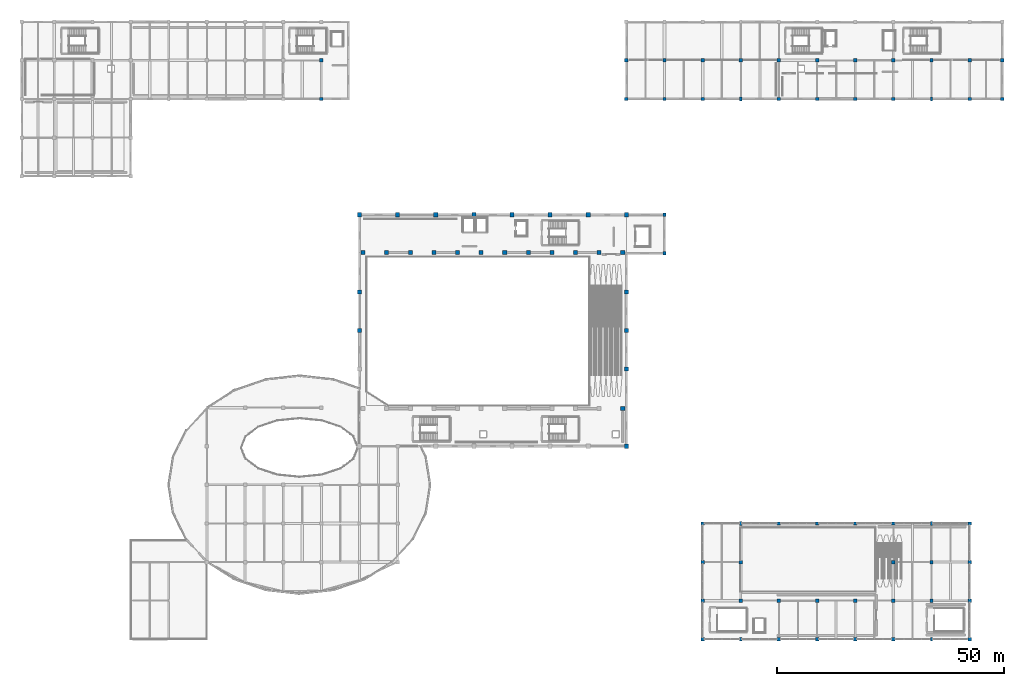
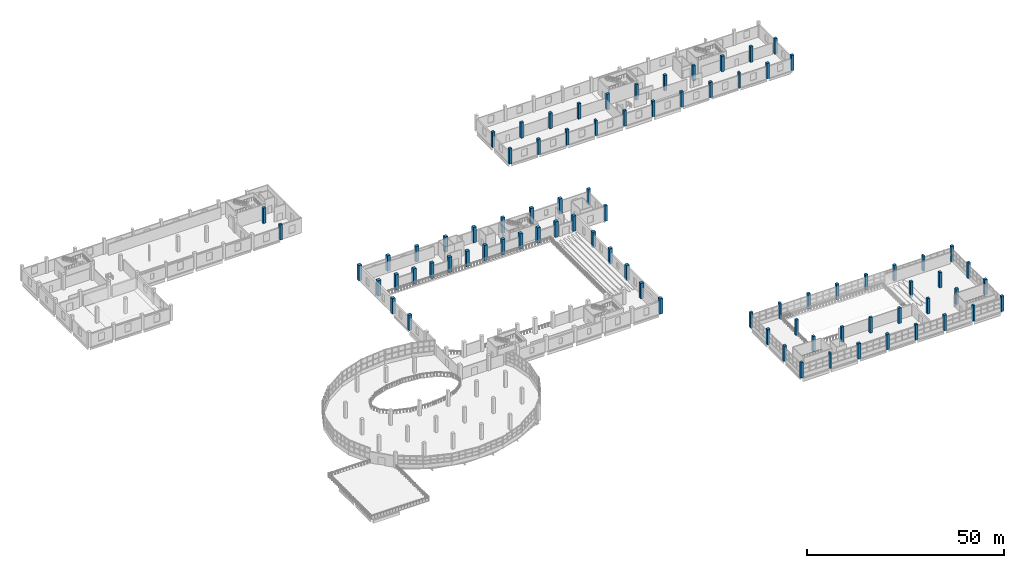
# One storey, part 3 of 77: 82 columns.
"""IFC4 building model written with IfcOpenShell, lengths in metres."""

from ifc_helpers import new_model, si_unit, direction, frame, origin, origin_2d, place, context, subcontext, project, spatial, rectangle, extrude, material, material_profile, profile_set, type_object, element, save


model = new_model("IFC4")

# Units and contexts
model_context = context("Model", 3, precision=1e-05, world=origin(), true_north=direction((0.0, 1.0)))
body_context = subcontext(model_context, "Body", "Model", "MODEL_VIEW")
ifc_project = project(units=[si_unit("LENGTHUNIT", "METRE"), si_unit("AREAUNIT", "SQUARE_METRE"), si_unit("VOLUMEUNIT", "CUBIC_METRE"), si_unit("PLANEANGLEUNIT", "RADIAN"), si_unit("MASSUNIT", "GRAM", prefix="KILO")], contexts=[model_context])

# Site, building, storey
site_placement = place(None, origin())
site = spatial("IfcSite", under=ifc_project, at=site_placement, CompositionType="ELEMENT")
building_placement = place(site_placement, origin())
building = spatial("IfcBuilding", under=site, at=building_placement, Name="Solvento Point Concert Hall", CompositionType="ELEMENT")
storey_placement = place(building_placement, frame((0.0, 0.0, 10.199951171875)))
storey = spatial("IfcBuildingStorey", under=building, at=storey_placement, Name="L02", CompositionType="ELEMENT", Elevation=10.199951171875)

# Columns
ifc_material_1 = material(Name="Concrete C40/50", Category="concrete")
ifc_material_profile_1 = material_profile(ifc_material_1, rectangle(XDim=0.75, YDim=0.75, at=origin_2d()), Name="RC-COL-750X750")
ifc_profile_set_1 = profile_set([ifc_material_profile_1], Name="Concrete C40/50")
column_type_1 = type_object("IfcColumnType", Name="Col_RC_750", PredefinedType="COLUMN", material=ifc_profile_set_1)
for number, where, z_axis, x_axis, name in (
    (1, (66.0, 119.0, 0.0), (0.0, 0.0, 1.0), (1.0, 0.0, 0.0), "Column C-29 09/Q L02"),
    (2, (66.0, 127.5, 0.0), (0.0, 0.0, 1.0), (1.0, 0.0, 0.0), "Column C-29 09/R L02"),
    (3, (133.199951171875, 119.0, 0.0), (0.0, 0.0, 1.0), (1.0, 0.0, 0.0), "Column C-29 17/Q L02"),
    (4, (133.199951171875, 127.5, 0.0), (0.0, 0.0, 1.0), (1.0, 0.0, 0.0), "Column C-29 17/R L02"),
    (5, (141.60009765625, 85.0, 0.0), (0.0, 0.0, 1.0), (1.0, 0.0, 0.0), "Column C-29 18/L L02"),
    (6, (141.60009765625, 93.5, 0.0), (0.0, 0.0, 1.0), (1.0, 0.0, 0.0), "Column C-29 18/M L02"),
    (7, (141.60009765625, 119.0, 0.0), (0.0, 0.0, 1.0), (1.0, 0.0, 0.0), "Column C-29 18/Q L02"),
    (8, (141.60009765625, 127.5, 0.0), (0.0, 0.0, 1.0), (1.0, 0.0, 0.0), "Column C-29 18/R L02"),
    (9, (150.0, 0.0, 0.0), (0.0, 0.0, 1.0), (1.0, 0.0, 0.0), "Column C-29 19/A L02"),
    (10, (150.0, 8.5, 0.0), (0.0, 0.0, 1.0), (1.0, 0.0, 0.0), "Column C-29 19/B L02"),
    (11, (150.0, 17.0, 0.0), (0.0, 0.0, 1.0), (1.0, 0.0, 0.0), "Column C-29 19/C L02"),
    (12, (150.0, 25.5, 0.0), (0.0, 0.0, 1.0), (1.0, 0.0, 0.0), "Column C-29 19/D L02"),
    (13, (150.0, 119.0, 0.0), (0.0, 0.0, 1.0), (1.0, 0.0, 0.0), "Column C-29 19/Q L02"),
    (14, (150.0, 127.5, 0.0), (0.0, 0.0, 1.0), (1.0, 0.0, 0.0), "Column C-29 19/R L02"),
    (15, (158.39990234375, 8.5, 0.0), (0.0, 0.0, 1.0), (1.0, 0.0, 0.0), "Column C-29 20/B L02"),
    (16, (158.39990234375, 17.0, 0.0), (0.0, 0.0, 1.0), (1.0, 0.0, 0.0), "Column C-29 20/C L02"),
    (17, (158.39990234375, 127.5, 0.0), (0.0, 0.0, 1.0), (1.0, 0.0, 0.0), "Column C-29 20/R L02"),
    (18, (166.800048828125, 0.0, 0.0), (0.0, 0.0, 1.0), (1.0, 0.0, 0.0), "Column C-29 21/A L02"),
    (19, (166.800048828125, 8.5, 0.0), (0.0, 0.0, 1.0), (1.0, 0.0, 0.0), "Column C-29 21/B L02"),
    (20, (166.800048828125, 25.5, 0.0), (0.0, 0.0, 1.0), (1.0, 0.0, 0.0), "Column C-29 21/D L02"),
    (21, (166.800048828125, 119.0, 0.0), (0.0, 0.0, 1.0), (1.0, 0.0, 0.0), "Column C-29 21/Q L02"),
    (22, (166.800048828125, 127.5, 0.0), (0.0, 0.0, 1.0), (1.0, 0.0, 0.0), "Column C-29 21/R L02"),
    (23, (175.199951171875, 0.0, 0.0), (0.0, 0.0, 1.0), (1.0, 0.0, 0.0), "Column C-29 22/A L02"),
    (24, (175.199951171875, 8.5, 0.0), (0.0, 0.0, 1.0), (1.0, 0.0, 0.0), "Column C-29 22/B L02"),
    (25, (175.199951171875, 25.5, 0.0), (0.0, 0.0, 1.0), (1.0, 0.0, 0.0), "Column C-29 22/D L02"),
    (26, (175.199951171875, 119.0, 0.0), (0.0, 0.0, 1.0), (1.0, 0.0, 0.0), "Column C-29 22/Q L02"),
    (27, (175.199951171875, 127.5, 0.0), (0.0, 0.0, 1.0), (1.0, 0.0, 0.0), "Column C-29 22/R L02"),
    (28, (183.60009765625, 0.0, 0.0), (0.0, 0.0, 1.0), (1.0, 0.0, 0.0), "Column C-29 23/A L02"),
    (29, (183.60009765625, 8.5, 0.0), (0.0, 0.0, 1.0), (1.0, 0.0, 0.0), "Column C-29 23/B L02"),
    (30, (183.60009765625, 25.5, 0.0), (0.0, 0.0, 1.0), (1.0, 0.0, 0.0), "Column C-29 23/D L02"),
    (31, (183.60009765625, 119.0, 0.0), (0.0, 0.0, 1.0), (1.0, 0.0, 0.0), "Column C-29 23/Q L02"),
    (32, (183.60009765625, 127.5, 0.0), (0.0, 0.0, 1.0), (1.0, 0.0, 0.0), "Column C-29 23/R L02"),
    (33, (192.0, 0.0, 0.0), (0.0, 0.0, 1.0), (1.0, 0.0, 0.0), "Column C-29 24/A L02"),
    (34, (192.0, 8.5, 0.0), (0.0, 0.0, 1.0), (1.0, 0.0, 0.0), "Column C-29 24/B L02"),
    (35, (192.0, 17.0, 0.0), (0.0, 0.0, 1.0), (1.0, 0.0, 0.0), "Column C-29 24/C L02"),
    (36, (192.0, 25.5, 0.0), (0.0, 0.0, 1.0), (1.0, 0.0, 0.0), "Column C-29 24/D L02"),
    (37, (192.0, 119.0, 0.0), (0.0, 0.0, 1.0), (1.0, 0.0, 0.0), "Column C-29 24/Q L02"),
    (38, (192.0, 127.5, 0.0), (0.0, 0.0, 1.0), (1.0, 0.0, 0.0), "Column C-29 24/R L02"),
    (39, (200.39990234375, 8.5, 0.0), (0.0, 0.0, 1.0), (1.0, 0.0, 0.0), "Column C-29 25/B L02"),
    (40, (200.39990234375, 17.0, 0.0), (0.0, 0.0, 1.0), (1.0, 0.0, 0.0), "Column C-29 25/C L02"),
    (41, (200.39990234375, 127.5, 0.0), (0.0, 0.0, 1.0), (1.0, 0.0, 0.0), "Column C-29 25/R L02"),
    (42, (208.800048828125, 0.0, 0.0), (0.0, 0.0, 1.0), (1.0, 0.0, 0.0), "Column C-29 26/A L02"),
    (43, (208.800048828125, 8.5, 0.0), (0.0, 0.0, 1.0), (1.0, 0.0, 0.0), "Column C-29 26/B L02"),
    (44, (208.800048828125, 17.0, 0.0), (0.0, 0.0, 1.0), (1.0, 0.0, 0.0), "Column C-29 26/C L02"),
    (45, (208.800048828125, 25.5, 0.0), (0.0, 0.0, 1.0), (1.0, 0.0, 0.0), "Column C-29 26/D L02"),
    (46, (208.800048828125, 119.0, 0.0), (0.0, 0.0, 1.0), (1.0, 0.0, 0.0), "Column C-29 26/Q L02"),
    (47, (208.800048828125, 127.5, 0.0), (0.0, 0.0, 1.0), (1.0, 0.0, 0.0), "Column C-29 26/R L02"),
    (48, (216.0, 119.0, 0.0), (0.0, 0.0, 1.0), (1.0, 0.0, 0.0), "Column C-29 27/Q L02"),
    (49, (216.0, 127.5, 0.0), (0.0, 0.0, 1.0), (1.0, 0.0, 0.0), "Column C-29 27/R L02"),
):
    element("IfcColumn", number, at=place(storey_placement, frame(where, z_axis=z_axis, x_axis=x_axis)), inside=storey, type_object=column_type_1, Name=name, PredefinedType="COLUMN", context=body_context, shape_type="SweptSolid", body=[
        extrude(rectangle(XDim=0.75, YDim=0.75, at=origin_2d()), origin(), (0.0, 0.0, 1.0), 4.800048828125),
    ])
ifc_material_2 = material(Name="Concrete C40/50", Category="concrete")
ifc_material_profile_2 = material_profile(ifc_material_2, rectangle(XDim=0.89990234375, YDim=0.89990234375, at=origin_2d()), Name="RC-COL-900X900")
ifc_profile_set_2 = profile_set([ifc_material_profile_2], Name="Concrete C40/50")
column_type_2 = type_object("IfcColumnType", Name="Col_RC_900", PredefinedType="COLUMN", material=ifc_profile_set_2)
for number, where, z_axis, x_axis, name in (
    (50, (74.39990234375, 68.0, 0.0), (0.0, 0.0, 1.0), (1.0, 0.0, 0.0), "Column C-14 10/J L02"),
    (51, (74.39990234375, 76.5, 0.0), (0.0, 0.0, 1.0), (1.0, 0.0, 0.0), "Column C-14 10/K L02"),
    (52, (74.39990234375, 93.5, 0.0), (0.0, 0.0, 1.0), (1.0, 0.0, 0.0), "Column C-14 10/M L02"),
    (53, (82.800048828125, 93.5, 0.0), (0.0, 0.0, 1.0), (1.0, 0.0, 0.0), "Column C-14 11/M L02"),
    (54, (91.199951171875, 93.5, 0.0), (0.0, 0.0, 1.0), (1.0, 0.0, 0.0), "Column C-14 12/M L02"),
    (55, (99.60009765625, 93.5, 0.0), (0.0, 0.0, 1.0), (1.0, 0.0, 0.0), "Column C-14 13/M L02"),
    (56, (108.0, 93.5, 0.0), (0.0, 0.0, 1.0), (1.0, 0.0, 0.0), "Column C-14 14/M L02"),
    (57, (116.39990234375, 93.5, 0.0), (0.0, 0.0, 1.0), (1.0, 0.0, 0.0), "Column C-14 15/M L02"),
    (58, (124.800048828125, 93.5, 0.0), (0.0, 0.0, 1.0), (1.0, 0.0, 0.0), "Column C-14 16/M L02"),
    (59, (133.199951171875, 42.5, 0.0), (0.0, 0.0, 1.0), (1.0, 0.0, 0.0), "Column C-14 17/F L02"),
    (60, (133.199951171875, 59.5, 0.0), (0.0, 0.0, 1.0), (1.0, 0.0, 0.0), "Column C-14 17/H L02"),
    (61, (133.199951171875, 68.0, 0.0), (0.0, 0.0, 1.0), (1.0, 0.0, 0.0), "Column C-14 17/J L02"),
    (62, (133.199951171875, 76.5, 0.0), (0.0, 0.0, 1.0), (1.0, 0.0, 0.0), "Column C-14 17/K L02"),
    (63, (133.199951171875, 93.5, 0.0), (0.0, 0.0, 1.0), (1.0, 0.0, 0.0), "Column C-14 17/M L02"),
    (64, (75.199951171875, 85.199951171875, 0.0), (0.0, 0.0, 1.0), (1.0, 0.0, 0.0), "Symphonic drum column C-14 DN01 L02"),
    (65, (80.39990234375, 85.199951171875, 0.0), (0.0, 0.0, 1.0), (1.0, 0.0, 0.0), "Symphonic drum column C-14 DN02 L02"),
    (66, (85.60009765625, 85.199951171875, 0.0), (0.0, 0.0, 1.0), (1.0, 0.0, 0.0), "Symphonic drum column C-14 DN03 L02"),
    (67, (90.800048828125, 85.199951171875, 0.0), (0.0, 0.0, 1.0), (1.0, 0.0, 0.0), "Symphonic drum column C-14 DN04 L02"),
    (68, (96.0, 85.199951171875, 0.0), (0.0, 0.0, 1.0), (1.0, 0.0, 0.0), "Symphonic drum column C-14 DN05 L02"),
    (69, (101.199951171875, 85.199951171875, 0.0), (0.0, 0.0, 1.0), (1.0, 0.0, 0.0), "Symphonic drum column C-14 DN06 L02"),
    (70, (106.39990234375, 85.199951171875, 0.0), (0.0, 0.0, 1.0), (1.0, 0.0, 0.0), "Symphonic drum column C-14 DN07 L02"),
    (71, (111.60009765625, 85.199951171875, 0.0), (0.0, 0.0, 1.0), (1.0, 0.0, 0.0), "Symphonic drum column C-14 DN08 L02"),
    (72, (116.800048828125, 85.199951171875, 0.0), (0.0, 0.0, 1.0), (1.0, 0.0, 0.0), "Symphonic drum column C-14 DN09 L02"),
    (73, (122.0, 85.199951171875, 0.0), (0.0, 0.0, 1.0), (1.0, 0.0, 0.0), "Symphonic drum column C-14 DN10 L02"),
    (74, (127.199951171875, 85.199951171875, 0.0), (0.0, 0.0, 1.0), (1.0, 0.0, 0.0), "Symphonic drum column C-14 DN11 L02"),
    (75, (132.39990234375, 50.800048828125, 0.0), (0.0, 0.0, 1.0), (1.0, 0.0, 0.0), "Symphonic drum column C-14 DS12 L02"),
    (76, (132.39990234375, 85.199951171875, 0.0), (0.0, 0.0, 1.0), (1.0, 0.0, 0.0), "Symphonic drum column C-14 DN12 L02"),
):
    element("IfcColumn", number, at=place(storey_placement, frame(where, z_axis=z_axis, x_axis=x_axis)), inside=storey, type_object=column_type_2, Name=name, PredefinedType="COLUMN", context=body_context, shape_type="SweptSolid", body=[
        extrude(rectangle(XDim=0.89990234375, YDim=0.89990234375, at=origin_2d()), origin(), (0.0, 0.0, 1.0), 4.800048828125),
    ])
ifc_material_3 = material(Name="Concrete C40/50", Category="concrete")
ifc_material_profile_3 = material_profile(ifc_material_3, rectangle(XDim=0.5, YDim=0.800048828125, at=origin_2d()), Name="RC-PIL-500X800")
ifc_profile_set_3 = profile_set([ifc_material_profile_3], Name="Concrete C40/50")
column_type_3 = type_object("IfcColumnType", Name="Pilaster_500x800", PredefinedType="PILASTER", material=ifc_profile_set_3)
for number, where, z_axis, x_axis, name in (
    (77, (158.39990234375, 0.0, 0.0), (0.0, 0.0, 1.0), (1.0, 0.0, 0.0), "Column C-70 20/A L02"),
    (78, (158.39990234375, 25.5, 0.0), (0.0, 0.0, 1.0), (1.0, 0.0, 0.0), "Column C-70 20/D L02"),
    (79, (158.39990234375, 119.0, 0.0), (0.0, 0.0, 1.0), (1.0, 0.0, 0.0), "Column C-70 20/Q L02"),
    (80, (200.39990234375, 0.0, 0.0), (0.0, 0.0, 1.0), (1.0, 0.0, 0.0), "Column C-70 25/A L02"),
    (81, (200.39990234375, 25.5, 0.0), (0.0, 0.0, 1.0), (1.0, 0.0, 0.0), "Column C-70 25/D L02"),
    (82, (200.39990234375, 119.0, 0.0), (0.0, 0.0, 1.0), (1.0, 0.0, 0.0), "Column C-70 25/Q L02"),
):
    element("IfcColumn", number, at=place(storey_placement, frame(where, z_axis=z_axis, x_axis=x_axis)), inside=storey, type_object=column_type_3, Name=name, PredefinedType="PILASTER", context=body_context, shape_type="SweptSolid", body=[
        extrude(rectangle(XDim=0.5, YDim=0.800048828125, at=origin_2d()), origin(), (0.0, 0.0, 1.0), 4.800048828125),
    ])

save(model, "model.ifc")
